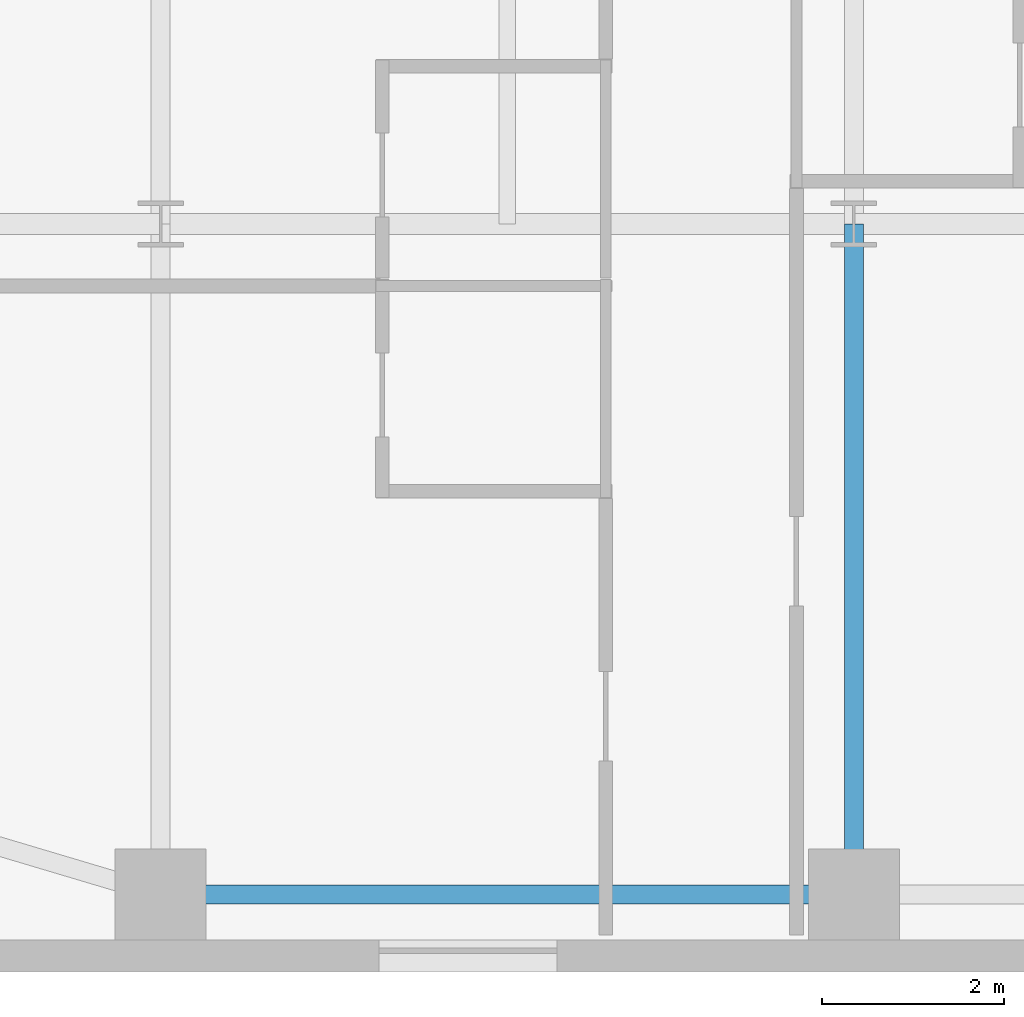
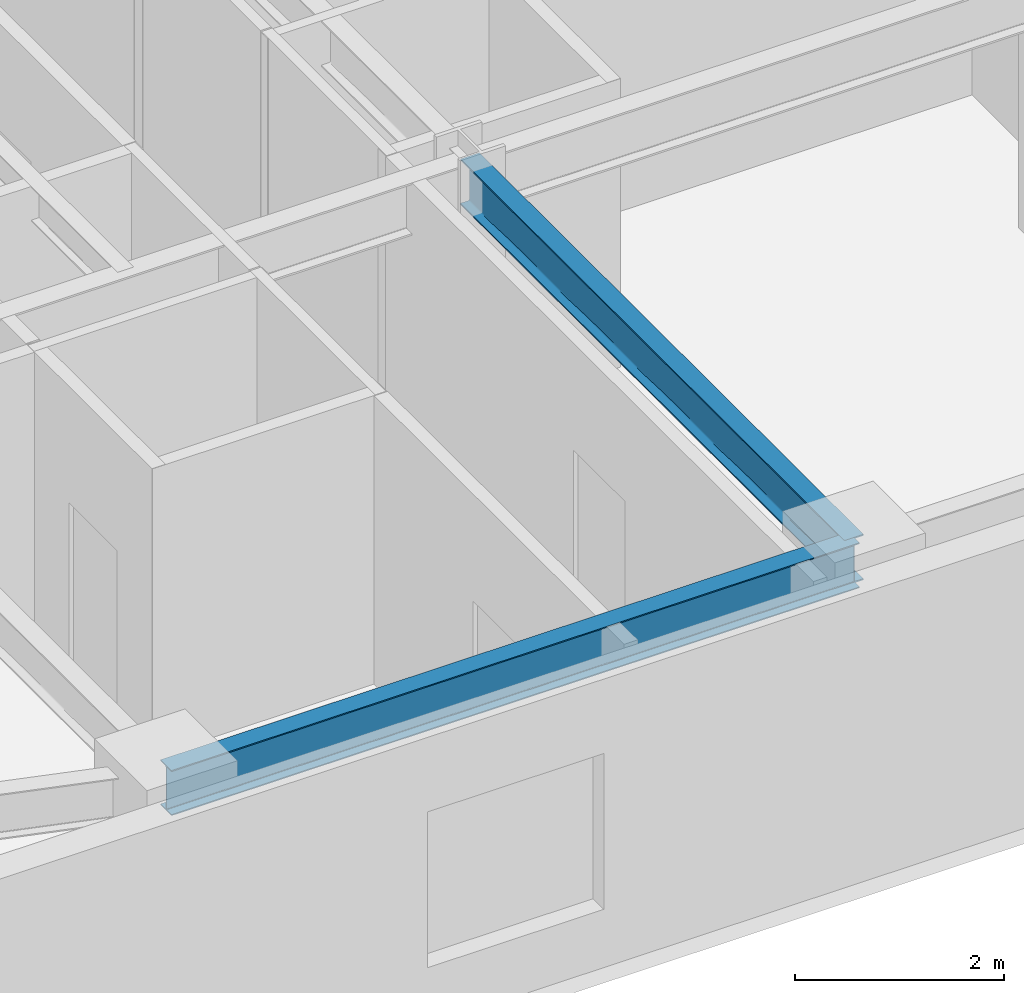
# One storey, part 3 of 30: 2 beams.
"""IFC4 building model written with IfcOpenShell, lengths in metres."""

import ifcopenshell
import ifcopenshell.guid

model = None  # the IFC model being written
_history = None  # IfcOwnerHistory: only IFC2X3 demands one
_inside = {}  # id of a spatial element -> (the spatial element, [elements in it])
_under = {}  # id of a project, library or spatial element -> (it, [spatial elements below it])
_declared = {}  # id of a project -> (the project, [libraries it declares])
_typed = {}  # id of a type object -> (the type object, [elements of that type])
_made_of = {}  # id of a material, layer set ... -> (it, [elements and type objects made of it])


def new_model(schema):
    """Start an empty IFC model of exactly this schema.

    Asked for "IFC4X3", IfcOpenShell would pick the latest addendum, in which some entities
    have other attributes; the version numbers below select the first issue.
    IFC2X3 requires an IfcOwnerHistory on every rooted entity: one is made here for all.
    """
    global model, _history
    if schema == "IFC4X3":
        model = ifcopenshell.file(schema_version=(4, 3, 0, 0))
    else:
        model = ifcopenshell.file(schema=schema)
    _inside.clear()
    _under.clear()
    _declared.clear()
    _typed.clear()
    _made_of.clear()
    _history = None
    if model.schema == "IFC2X3":
        org = make("IfcOrganization", Name="unknown")
        user = make(
            "IfcPersonAndOrganization",
            ThePerson=make("IfcPerson", FamilyName="unknown"),
            TheOrganization=org,
        )
        app = make(
            "IfcApplication",
            ApplicationDeveloper=org,
            Version="unknown",
            ApplicationFullName="unknown",
            ApplicationIdentifier="unknown",
        )
        _history = make(
            "IfcOwnerHistory",
            OwningUser=user,
            OwningApplication=app,
            ChangeAction="ADDED",
            CreationDate=0,
        )
    return model


def make(cls, **values):
    """One entity of the class cls with the attributes given. An attribute that is None is left unset."""
    return model.create_entity(
        cls, **{name: value for name, value in values.items() if value is not None}
    )


def rooted(cls, **values):
    """An entity with a GlobalId (a new one), such as an element, a storey or a relation."""
    return make(cls, GlobalId=ifcopenshell.guid.new(), OwnerHistory=_history, **values)


def si_unit(unit_type, name, prefix=None):
    """IfcSIUnit, for example si_unit("LENGTHUNIT", "METRE", prefix="MILLI")."""
    return make("IfcSIUnit", UnitType=unit_type, Prefix=prefix, Name=name)


def assignment(units):
    """IfcUnitAssignment: the units of a project."""
    return None if units is None else make("IfcUnitAssignment", Units=units)


def point(xyz):
    """IfcCartesianPoint."""
    return None if xyz is None else make("IfcCartesianPoint", Coordinates=xyz)


def direction(xyz):
    """IfcDirection."""
    return None if xyz is None else make("IfcDirection", DirectionRatios=xyz)


def frame(location, z_axis=None, x_axis=None):
    """IfcAxis2Placement3D, a coordinate frame: its origin and axes. An axis left out is left unset."""
    return make(
        "IfcAxis2Placement3D",
        Location=point(location),
        Axis=direction(z_axis),
        RefDirection=direction(x_axis),
    )


def frame_2d(location, x_axis=None):
    """IfcAxis2Placement2D, a coordinate frame in the plane: its origin and x axis."""
    return make(
        "IfcAxis2Placement2D", Location=point(location), RefDirection=direction(x_axis)
    )


def origin():
    """The frame at (0, 0, 0) with its axes left unset."""
    return frame((0.0, 0.0, 0.0))


def origin_2d():
    """The frame at (0, 0) in the plane with its x axis left unset."""
    return frame_2d((0.0, 0.0))


def place(relative_to, where):
    """IfcLocalPlacement: puts the frame where relative to a parent placement (None: the world)."""
    return make(
        "IfcLocalPlacement", PlacementRelTo=relative_to, RelativePlacement=where
    )


def context(
    kind, dimensions, precision=None, world=None, true_north=None, identifier=None
):
    """IfcGeometricRepresentationContext, for example the 3D "Model" context."""
    return make(
        "IfcGeometricRepresentationContext",
        ContextIdentifier=identifier,
        ContextType=kind,
        CoordinateSpaceDimension=dimensions,
        Precision=precision,
        WorldCoordinateSystem=world,
        TrueNorth=true_north,
    )


def subcontext(parent, identifier, kind, view, scale=None):
    """IfcGeometricRepresentationSubContext, for example "Body" below "Model"."""
    return make(
        "IfcGeometricRepresentationSubContext",
        ContextIdentifier=identifier,
        ContextType=kind,
        ParentContext=parent,
        TargetScale=scale,
        TargetView=view,
    )


def project(units=None, contexts=None):
    """IfcProject with its units and contexts."""
    return rooted(
        "IfcProject",
        Name="project",
        RepresentationContexts=contexts,
        UnitsInContext=assignment(units),
    )


def spatial(cls, under=None, at=None, **own):
    """A site, building, storey or space (cls), placed at a placement, below another one or the project."""
    s = rooted(cls, ObjectPlacement=at, **own)
    if under is not None:
        _under.setdefault(under.id(), (under, []))[1].append(s)
    return s


def profile(cls, at=None, kind="AREA", **sizes):
    """A parametric profile (cls). Its sizes go by their IFC names, for example OverallWidth=200.0."""
    return make(cls, ProfileType=kind, Position=at, **sizes)


def i_section(**sizes):
    """IfcIShapeProfileDef."""
    return profile("IfcIShapeProfileDef", **sizes)


def extrude(swept, where, along, depth):
    """IfcExtrudedAreaSolid: the profile swept, set in the frame where, extruded along a direction by depth."""
    return make(
        "IfcExtrudedAreaSolid",
        SweptArea=swept,
        Position=where,
        ExtrudedDirection=direction(along),
        Depth=depth,
    )


def shape(context_of_items, identifier, shape_type, items):
    """IfcShapeRepresentation: the items that make up one representation, for example the "Body"."""
    return make(
        "IfcShapeRepresentation",
        ContextOfItems=context_of_items,
        RepresentationIdentifier=identifier,
        RepresentationType=shape_type,
        Items=items,
    )


def source(mapping_origin, context_of_items, identifier, shape_type, items):
    """IfcRepresentationMap: a shape defined once, which mapped items show again and again."""
    return make(
        "IfcRepresentationMap",
        MappingOrigin=mapping_origin,
        MappedRepresentation=shape(context_of_items, identifier, shape_type, items),
    )


def transform(
    local_origin,
    x_axis=None,
    y_axis=None,
    z_axis=None,
    scale=None,
    scale2=None,
    scale3=None,
    uniform=True,
):
    """IfcCartesianTransformationOperator3D, or its non-uniform kind. x_axis, y_axis, z_axis: its Axis1, 2, 3."""
    if uniform:
        return make(
            "IfcCartesianTransformationOperator3D",
            Axis1=direction(x_axis),
            Axis2=direction(y_axis),
            LocalOrigin=point(local_origin),
            Scale=scale,
            Axis3=direction(z_axis),
        )
    return make(
        "IfcCartesianTransformationOperator3DnonUniform",
        Axis1=direction(x_axis),
        Axis2=direction(y_axis),
        LocalOrigin=point(local_origin),
        Scale=scale,
        Axis3=direction(z_axis),
        Scale2=scale2,
        Scale3=scale3,
    )


def mapped(mapping_source, mapping_target):
    """IfcMappedItem: shows the shape of a source again, moved by a transform."""
    return make(
        "IfcMappedItem", MappingSource=mapping_source, MappingTarget=mapping_target
    )


def material(Name=None, Category=None):
    """IfcMaterial."""
    return make("IfcMaterial", Name=Name, Category=Category)


def material_profile(
    of_material, cross_section, Name=None, Category=None, Priority=None
):
    """IfcMaterialProfile: a cross section and its material."""
    return make(
        "IfcMaterialProfile",
        Name=Name,
        Material=of_material,
        Profile=cross_section,
        Priority=Priority,
        Category=Category,
    )


def profile_set(profiles, Name=None, composite=None):
    """IfcMaterialProfileSet."""
    return make(
        "IfcMaterialProfileSet",
        Name=Name,
        MaterialProfiles=profiles,
        CompositeProfile=composite,
    )


def made_of(thing, what):
    """Note that an element or type object is made of a material, layer set ...; save() writes the relation."""
    if what is not None:
        _made_of.setdefault(what.id(), (what, []))[1].append(thing)
    return thing


def type_object(cls, material=None, **own):
    """A type object (cls), such as IfcWallType, which elements share."""
    return made_of(rooted(cls, **own), material)


def type_shapes(of_type, sources):
    """Give a type object the sources (RepresentationMaps) that its elements show as mapped items."""
    of_type.RepresentationMaps = sources


def element(
    cls,
    number,
    at=None,
    inside=None,
    cuts=None,
    type_object=None,
    material=None,
    context=None,
    identifier="Body",
    shape_type=None,
    held_by="IfcProductDefinitionShape",
    body=None,
    shapes=None,
    **own,
):
    """One element of the class cls, such as IfcWall. Its Tag is "e" and its number.

    at: its placement. inside: the storey or other place that contains it. cuts: it is an
    opening in that element (IfcRelVoidsElement). A single representation is given by context,
    identifier, shape_type and body (its items); several are given by shapes. held_by: the class
    of the entity that holds the representations. save() writes the other relations.
    """
    e = rooted(cls, Tag="e%d" % number, ObjectPlacement=at, **own)
    if body is not None:
        shapes = [shape(context, identifier, shape_type, body)]
    if shapes is not None:
        e.Representation = make(held_by, Representations=shapes)
    if inside is not None:
        _inside.setdefault(inside.id(), (inside, []))[1].append(e)
    if cuts is not None:
        rooted(
            "IfcRelVoidsElement", RelatingBuildingElement=cuts, RelatedOpeningElement=e
        )
    if type_object is not None:
        _typed.setdefault(type_object.id(), (type_object, []))[1].append(e)
    return made_of(e, material)


def aggregate(whole, parts):
    """IfcRelAggregates: a whole, such as a stair, and the parts it consists of."""
    return rooted("IfcRelAggregates", RelatingObject=whole, RelatedObjects=parts)


def save(model, path):
    """Write the relations noted so far, then the file.

    IfcRelAggregates (storeys below a building ...), IfcRelContainedInSpatialStructure (elements
    in a storey), IfcRelDefinesByType, IfcRelAssociatesMaterial and IfcRelDeclares: one each for
    every whole, place, type object, material and project.
    """
    for whole, parts in _under.values():
        aggregate(whole, parts)
    for where, things in _inside.values():
        rooted(
            "IfcRelContainedInSpatialStructure",
            RelatedElements=things,
            RelatingStructure=where,
        )
    for kind, things in _typed.values():
        rooted("IfcRelDefinesByType", RelatedObjects=things, RelatingType=kind)
    for what, things in _made_of.values():
        rooted("IfcRelAssociatesMaterial", RelatedObjects=things, RelatingMaterial=what)
    for by, libraries in _declared.values():
        rooted("IfcRelDeclares", RelatingContext=by, RelatedDefinitions=libraries)
    model.write(path)


model = new_model("IFC4")

# Units and contexts
model_context = context("Model", 3, precision=1e-05, world=origin(), true_north=direction((0.0, 1.0)))
body_context = subcontext(model_context, "Body", "Model", "MODEL_VIEW")
ifc_project = project(units=[si_unit("LENGTHUNIT", "METRE"), si_unit("AREAUNIT", "SQUARE_METRE"), si_unit("VOLUMEUNIT", "CUBIC_METRE"), si_unit("PLANEANGLEUNIT", "RADIAN"), si_unit("MASSUNIT", "GRAM", prefix="KILO")], contexts=[model_context])

# Site, building, storey
site_placement = place(None, origin())
site = spatial("IfcSite", under=ifc_project, at=site_placement, CompositionType="ELEMENT")
building_placement = place(site_placement, origin())
building = spatial("IfcBuilding", under=site, at=building_placement, Name="Tolvann Quenvar Hotel", CompositionType="ELEMENT")
storey_placement = place(building_placement, frame((0.0, 0.0, 56.85009765625)))
storey = spatial("IfcBuildingStorey", under=building, at=storey_placement, Name="L13", CompositionType="ELEMENT", Elevation=56.85009765625)

# Beams
ifc_material = material(Name="Steel Grade 350", Category="steel")
ifc_material_profile_1 = material_profile(ifc_material, i_section(OverallWidth=0.208984375, OverallDepth=0.528076171875, WebThickness=0.009521484375, FlangeThickness=0.01318359375, FilletRadius=0.013916015625, at=origin_2d()), Name="530UB82")
ifc_profile_set_1 = profile_set([ifc_material_profile_1], Name="Steel Grade 350")
beam_type_1 = type_object("IfcBeamType", Name="BM_SPAND_530UB82", PredefinedType="SPANDREL", material=ifc_profile_set_1)
shared_shape_1 = source(origin(), body_context, "Body", "SweptSolid", [
    extrude(i_section(OverallWidth=0.208984375, OverallDepth=0.528076171875, WebThickness=0.009521484375, FlangeThickness=0.01318359375, FilletRadius=0.013916015625, at=origin_2d()), origin(), (0.0, 0.0, 1.0), 7.599853515625),
])
type_shapes(beam_type_1, [shared_shape_1])
beam_1_placement = place(storey_placement, frame((7.60009765625, 0.85009765625, 3.10595703125), z_axis=(1.0, 0.0, 0.0), x_axis=(0.0, 1.0, 0.0)))
element("IfcBeam", 1, at=beam_1_placement, inside=storey, type_object=beam_type_1, Name="BM-L13-EW-2-C2-D2", PredefinedType="SPANDREL", context=body_context, shape_type="MappedRepresentation", body=[
    mapped(shared_shape_1, transform((0.0, 0.0, 0.0), x_axis=(1.0, 0.0, 0.0), y_axis=(0.0, 1.0, 0.0), z_axis=(0.0, 0.0, 1.0), scale=1.0)),
])
ifc_material_profile_2 = material_profile(ifc_material, i_section(OverallWidth=0.208984375, OverallDepth=0.532958984375, WebThickness=0.01025390625, FlangeThickness=0.015625, FilletRadius=0.013916015625, at=origin_2d()), Name="530UB92")
ifc_profile_set_2 = profile_set([ifc_material_profile_2], Name="Steel Grade 350")
beam_type_2 = type_object("IfcBeamType", Name="BM_GIRD_530UB92", PredefinedType="BEAM", material=ifc_profile_set_2)
shared_shape_2 = source(origin(), body_context, "Body", "SweptSolid", [
    extrude(i_section(OverallWidth=0.208984375, OverallDepth=0.532958984375, WebThickness=0.01025390625, FlangeThickness=0.015625, FilletRadius=0.013916015625, at=origin_2d()), origin(), (0.0, 0.0, 1.0), 7.349853515625),
])
type_shapes(beam_type_2, [shared_shape_2])
beam_2_placement = place(storey_placement, frame((15.199951171875, 0.85009765625, 3.103515625), z_axis=(0.0, 1.0, 0.0), x_axis=(-1.0, 0.0, 0.0)))
element("IfcBeam", 2, at=beam_2_placement, inside=storey, type_object=beam_type_2, Name="BM-L13-NS-D2-D3", PredefinedType="BEAM", context=body_context, shape_type="MappedRepresentation", body=[
    mapped(shared_shape_2, transform((0.0, 0.0, 0.0), x_axis=(1.0, 0.0, 0.0), y_axis=(0.0, 1.0, 0.0), z_axis=(0.0, 0.0, 1.0), scale=1.0)),
])

save(model, "model.ifc")
